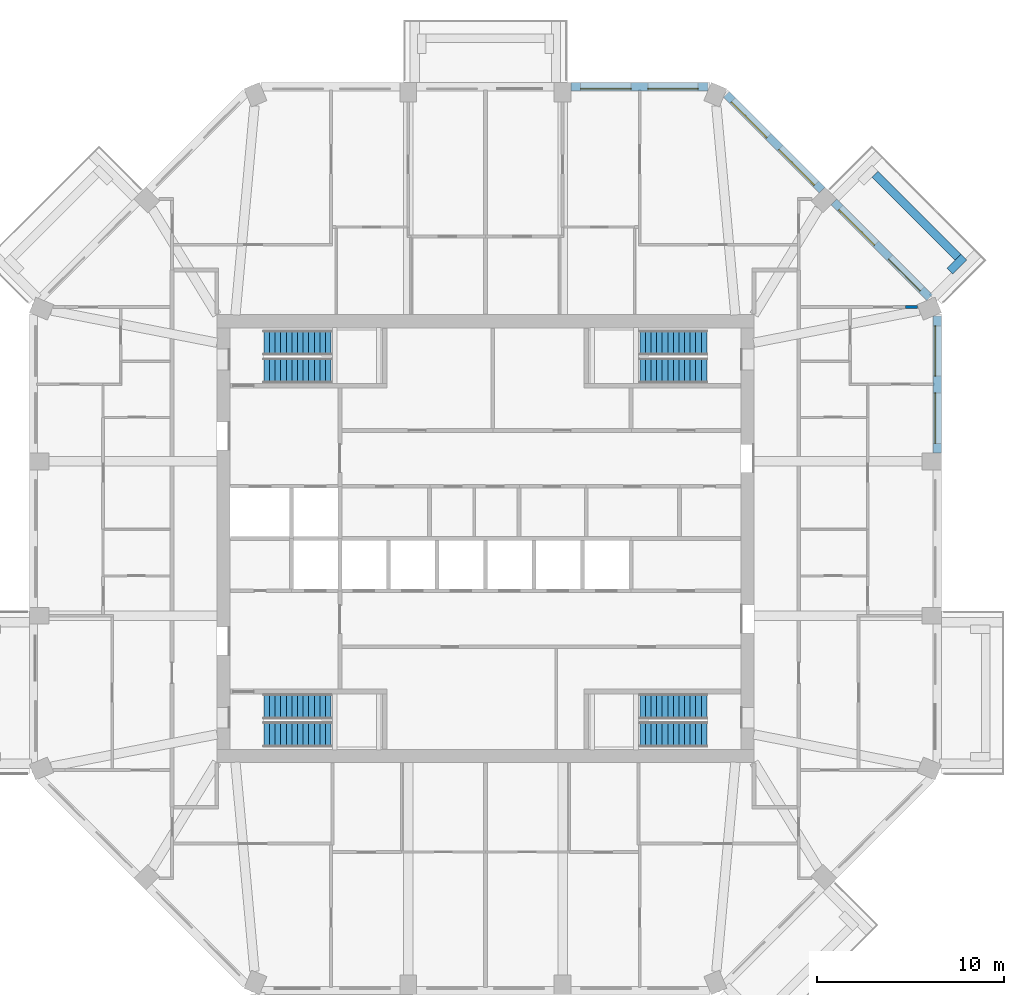
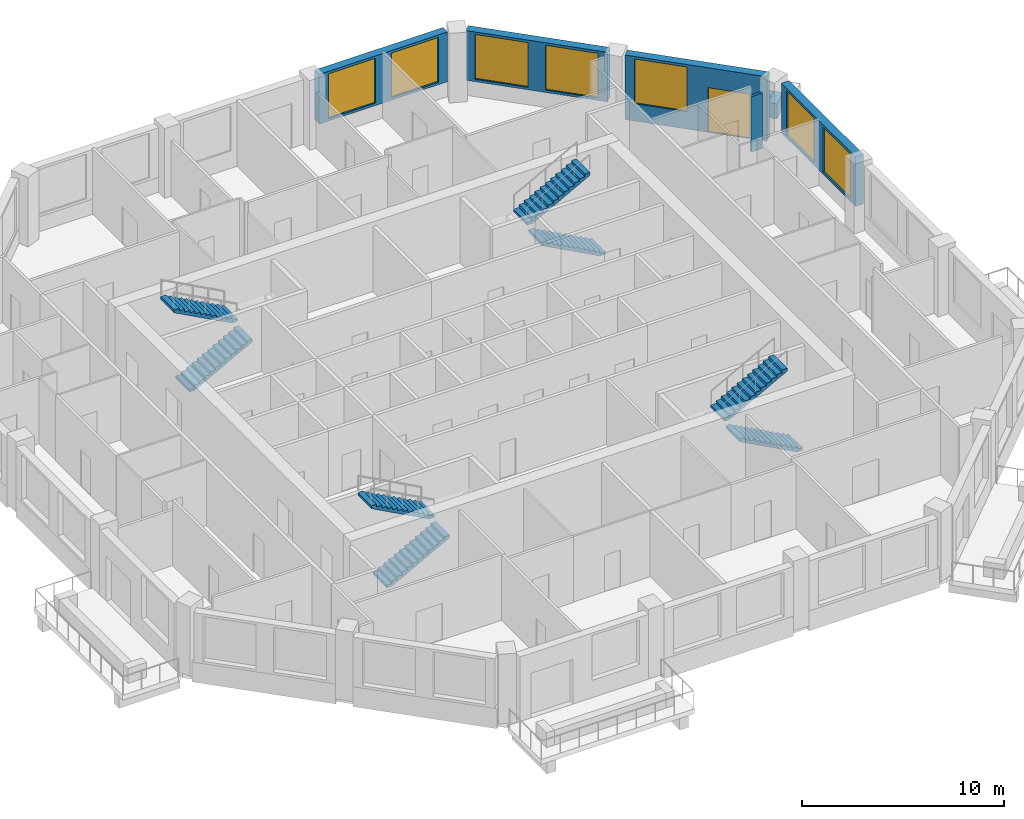
# One storey, part 9 of 10: 8 stair flights, 7 walls, 7 windows, 1 door, 8 openings, 4 elements without a shape of their own.
"""IFC4 building model written with IfcOpenShell, lengths in metres."""

import ifcopenshell
import ifcopenshell.guid

model = None  # the IFC model being written
_history = None  # IfcOwnerHistory: only IFC2X3 demands one
_inside = {}  # id of a spatial element -> (the spatial element, [elements in it])
_under = {}  # id of a project, library or spatial element -> (it, [spatial elements below it])
_declared = {}  # id of a project -> (the project, [libraries it declares])
_typed = {}  # id of a type object -> (the type object, [elements of that type])
_made_of = {}  # id of a material, layer set ... -> (it, [elements and type objects made of it])


def new_model(schema):
    """Start an empty IFC model of exactly this schema.

    Asked for "IFC4X3", IfcOpenShell would pick the latest addendum, in which some entities
    have other attributes; the version numbers below select the first issue.
    IFC2X3 requires an IfcOwnerHistory on every rooted entity: one is made here for all.
    """
    global model, _history
    if schema == "IFC4X3":
        model = ifcopenshell.file(schema_version=(4, 3, 0, 0))
    else:
        model = ifcopenshell.file(schema=schema)
    _inside.clear()
    _under.clear()
    _declared.clear()
    _typed.clear()
    _made_of.clear()
    _history = None
    if model.schema == "IFC2X3":
        org = make("IfcOrganization", Name="unknown")
        user = make(
            "IfcPersonAndOrganization",
            ThePerson=make("IfcPerson", FamilyName="unknown"),
            TheOrganization=org,
        )
        app = make(
            "IfcApplication",
            ApplicationDeveloper=org,
            Version="unknown",
            ApplicationFullName="unknown",
            ApplicationIdentifier="unknown",
        )
        _history = make(
            "IfcOwnerHistory",
            OwningUser=user,
            OwningApplication=app,
            ChangeAction="ADDED",
            CreationDate=0,
        )
    return model


def make(cls, **values):
    """One entity of the class cls with the attributes given. An attribute that is None is left unset."""
    return model.create_entity(
        cls, **{name: value for name, value in values.items() if value is not None}
    )


def rooted(cls, **values):
    """An entity with a GlobalId (a new one), such as an element, a storey or a relation."""
    return make(cls, GlobalId=ifcopenshell.guid.new(), OwnerHistory=_history, **values)


def si_unit(unit_type, name, prefix=None):
    """IfcSIUnit, for example si_unit("LENGTHUNIT", "METRE", prefix="MILLI")."""
    return make("IfcSIUnit", UnitType=unit_type, Prefix=prefix, Name=name)


def assignment(units):
    """IfcUnitAssignment: the units of a project."""
    return None if units is None else make("IfcUnitAssignment", Units=units)


def point(xyz):
    """IfcCartesianPoint."""
    return None if xyz is None else make("IfcCartesianPoint", Coordinates=xyz)


def direction(xyz):
    """IfcDirection."""
    return None if xyz is None else make("IfcDirection", DirectionRatios=xyz)


def frame(location, z_axis=None, x_axis=None):
    """IfcAxis2Placement3D, a coordinate frame: its origin and axes. An axis left out is left unset."""
    return make(
        "IfcAxis2Placement3D",
        Location=point(location),
        Axis=direction(z_axis),
        RefDirection=direction(x_axis),
    )


def frame_2d(location, x_axis=None):
    """IfcAxis2Placement2D, a coordinate frame in the plane: its origin and x axis."""
    return make(
        "IfcAxis2Placement2D", Location=point(location), RefDirection=direction(x_axis)
    )


def origin():
    """The frame at (0, 0, 0) with its axes left unset."""
    return frame((0.0, 0.0, 0.0))


def place(relative_to, where):
    """IfcLocalPlacement: puts the frame where relative to a parent placement (None: the world)."""
    return make(
        "IfcLocalPlacement", PlacementRelTo=relative_to, RelativePlacement=where
    )


def context(
    kind, dimensions, precision=None, world=None, true_north=None, identifier=None
):
    """IfcGeometricRepresentationContext, for example the 3D "Model" context."""
    return make(
        "IfcGeometricRepresentationContext",
        ContextIdentifier=identifier,
        ContextType=kind,
        CoordinateSpaceDimension=dimensions,
        Precision=precision,
        WorldCoordinateSystem=world,
        TrueNorth=true_north,
    )


def subcontext(parent, identifier, kind, view, scale=None):
    """IfcGeometricRepresentationSubContext, for example "Body" below "Model"."""
    return make(
        "IfcGeometricRepresentationSubContext",
        ContextIdentifier=identifier,
        ContextType=kind,
        ParentContext=parent,
        TargetScale=scale,
        TargetView=view,
    )


def project(units=None, contexts=None):
    """IfcProject with its units and contexts."""
    return rooted(
        "IfcProject",
        Name="project",
        RepresentationContexts=contexts,
        UnitsInContext=assignment(units),
    )


def spatial(cls, under=None, at=None, **own):
    """A site, building, storey or space (cls), placed at a placement, below another one or the project."""
    s = rooted(cls, ObjectPlacement=at, **own)
    if under is not None:
        _under.setdefault(under.id(), (under, []))[1].append(s)
    return s


def polyline(points):
    """IfcPolyline through the points."""
    return make("IfcPolyline", Points=[point(p) for p in points])


def profile(cls, at=None, kind="AREA", **sizes):
    """A parametric profile (cls). Its sizes go by their IFC names, for example OverallWidth=200.0."""
    return make(cls, ProfileType=kind, Position=at, **sizes)


def rectangle(**sizes):
    """IfcRectangleProfileDef."""
    return profile("IfcRectangleProfileDef", **sizes)


def outline(outer, holes=None, kind="AREA"):
    """IfcArbitraryClosedProfileDef: a profile drawn as a closed curve; with holes, ...WithVoids."""
    if holes is None:
        return make("IfcArbitraryClosedProfileDef", ProfileType=kind, OuterCurve=outer)
    return make(
        "IfcArbitraryProfileDefWithVoids",
        ProfileType=kind,
        OuterCurve=outer,
        InnerCurves=holes,
    )


def extrude(swept, where, along, depth):
    """IfcExtrudedAreaSolid: the profile swept, set in the frame where, extruded along a direction by depth."""
    return make(
        "IfcExtrudedAreaSolid",
        SweptArea=swept,
        Position=where,
        ExtrudedDirection=direction(along),
        Depth=depth,
    )


def shape(context_of_items, identifier, shape_type, items):
    """IfcShapeRepresentation: the items that make up one representation, for example the "Body"."""
    return make(
        "IfcShapeRepresentation",
        ContextOfItems=context_of_items,
        RepresentationIdentifier=identifier,
        RepresentationType=shape_type,
        Items=items,
    )


def material(Name=None, Category=None):
    """IfcMaterial."""
    return make("IfcMaterial", Name=Name, Category=Category)


def layer(
    of_material, thickness, ventilated=None, Name=None, Category=None, Priority=None
):
    """IfcMaterialLayer: one layer of a wall or slab, of a material (None: an air gap)."""
    return make(
        "IfcMaterialLayer",
        Material=of_material,
        LayerThickness=thickness,
        IsVentilated=ventilated,
        Name=Name,
        Category=Category,
        Priority=Priority,
    )


def layer_set(layers, Name=None):
    """IfcMaterialLayerSet."""
    return make("IfcMaterialLayerSet", MaterialLayers=layers, LayerSetName=Name)


def made_of(thing, what):
    """Note that an element or type object is made of a material, layer set ...; save() writes the relation."""
    if what is not None:
        _made_of.setdefault(what.id(), (what, []))[1].append(thing)
    return thing


def type_object(cls, material=None, **own):
    """A type object (cls), such as IfcWallType, which elements share."""
    return made_of(rooted(cls, **own), material)


def element(
    cls,
    number,
    at=None,
    inside=None,
    cuts=None,
    type_object=None,
    material=None,
    context=None,
    identifier="Body",
    shape_type=None,
    held_by="IfcProductDefinitionShape",
    body=None,
    shapes=None,
    **own,
):
    """One element of the class cls, such as IfcWall. Its Tag is "e" and its number.

    at: its placement. inside: the storey or other place that contains it. cuts: it is an
    opening in that element (IfcRelVoidsElement). A single representation is given by context,
    identifier, shape_type and body (its items); several are given by shapes. held_by: the class
    of the entity that holds the representations. save() writes the other relations.
    """
    e = rooted(cls, Tag="e%d" % number, ObjectPlacement=at, **own)
    if body is not None:
        shapes = [shape(context, identifier, shape_type, body)]
    if shapes is not None:
        e.Representation = make(held_by, Representations=shapes)
    if inside is not None:
        _inside.setdefault(inside.id(), (inside, []))[1].append(e)
    if cuts is not None:
        rooted(
            "IfcRelVoidsElement", RelatingBuildingElement=cuts, RelatedOpeningElement=e
        )
    if type_object is not None:
        _typed.setdefault(type_object.id(), (type_object, []))[1].append(e)
    return made_of(e, material)


def fill(opening, filler):
    """IfcRelFillsElement: the door or window that sits in an opening."""
    return rooted(
        "IfcRelFillsElement",
        RelatingOpeningElement=opening,
        RelatedBuildingElement=filler,
    )


def aggregate(whole, parts):
    """IfcRelAggregates: a whole, such as a stair, and the parts it consists of."""
    return rooted("IfcRelAggregates", RelatingObject=whole, RelatedObjects=parts)


def save(model, path):
    """Write the relations noted so far, then the file.

    IfcRelAggregates (storeys below a building ...), IfcRelContainedInSpatialStructure (elements
    in a storey), IfcRelDefinesByType, IfcRelAssociatesMaterial and IfcRelDeclares: one each for
    every whole, place, type object, material and project.
    """
    for whole, parts in _under.values():
        aggregate(whole, parts)
    for where, things in _inside.values():
        rooted(
            "IfcRelContainedInSpatialStructure",
            RelatedElements=things,
            RelatingStructure=where,
        )
    for kind, things in _typed.values():
        rooted("IfcRelDefinesByType", RelatedObjects=things, RelatingType=kind)
    for what, things in _made_of.values():
        rooted("IfcRelAssociatesMaterial", RelatedObjects=things, RelatingMaterial=what)
    for by, libraries in _declared.values():
        rooted("IfcRelDeclares", RelatingContext=by, RelatedDefinitions=libraries)
    model.write(path)


model = new_model("IFC4")

# Units and contexts
model_context = context("Model", 3, precision=1e-05, world=origin(), true_north=direction((0.0, 1.0)))
body_context = subcontext(model_context, "Body", "Model", "MODEL_VIEW")
ifc_project = project(units=[si_unit("LENGTHUNIT", "METRE"), si_unit("AREAUNIT", "SQUARE_METRE"), si_unit("VOLUMEUNIT", "CUBIC_METRE"), si_unit("PLANEANGLEUNIT", "RADIAN"), si_unit("MASSUNIT", "GRAM", prefix="KILO")], contexts=[model_context])

# Site, building, storey
site_placement = place(None, origin())
site = spatial("IfcSite", under=ifc_project, at=site_placement, CompositionType="ELEMENT")
building_placement = place(site_placement, origin())
building = spatial("IfcBuilding", under=site, at=building_placement, Name="Msitu Wima Residences", CompositionType="ELEMENT")
storey_placement = place(building_placement, frame((0.0, 0.0, 191.699951171875)))
storey = spatial("IfcBuildingStorey", under=building, at=storey_placement, Name="L44", CompositionType="ELEMENT", Elevation=191.699951171875)

# Walls
ifc_material_1 = material(Name="Facing brick")
ifc_layer_1 = layer(ifc_material_1, 0.06494140625, Name="Facing brick")
ifc_material_2 = material(Name="Concrete C40/50", Category="concrete")
ifc_layer_2 = layer(ifc_material_2, 0.156005859375, Name="Concrete C40/50")
ifc_material_3 = material(Name="Waterproofing membrane")
ifc_layer_3 = layer(ifc_material_3, 0.00390625, Name="Waterproofing membrane")
ifc_material_4 = material(Name="Planting soil and planting")
ifc_layer_4 = layer(ifc_material_4, 0.22509765625, Name="Planting soil and planting")
ifc_layer_set_1 = layer_set([ifc_layer_1, ifc_layer_2, ifc_layer_3, ifc_layer_4], Name="Concrete C40/50")
wall_type_1 = type_object("IfcWallType", Name="Balcony planter PLANTER PL450", PredefinedType="USERDEFINED", material=ifc_layer_set_1)
wall_1_placement = place(storey_placement, frame((25.325927734375, 15.0810546875, 0.0), z_axis=(0.0, 0.0, 1.0), x_axis=(-0.707106781187, 0.707106781187, 0.0)))
element("IfcWall", 1, at=wall_1_placement, inside=storey, type_object=wall_type_1, Name="Balcony planter NE0 L44", ObjectType="PLANTER", PredefinedType="USERDEFINED", context=body_context, shape_type="SweptSolid", body=[
    extrude(rectangle(XDim=6.294189453125, YDim=0.449951171875, at=frame_2d((3.14697265625, 0.0))), origin(), (0.0, 0.0, 1.0), 0.900146484375),
])
wall_2_placement = place(storey_placement, frame((24.901611328125, 14.338623046875, 0.0), z_axis=(0.0, 0.0, 1.0), x_axis=(0.707106781187, 0.707106781187, 0.0)))
element("IfcWall", 2, at=wall_2_placement, inside=storey, type_object=wall_type_1, Name="Balcony planter NE0 L44", ObjectType="PLANTER", PredefinedType="USERDEFINED", context=body_context, shape_type="SweptSolid", body=[
    extrude(rectangle(XDim=1.050048828125, YDim=0.449951171875, at=frame_2d((0.52490234375, 0.0))), origin(), (0.0, 0.0, 1.0), 0.900146484375),
])

# Wall, openings, windows
ifc_material_5 = material(Name="Brick (red buff mix)", Category="masonry")
ifc_layer_5 = layer(ifc_material_5, 0.449951171875)
ifc_layer_set_2 = layer_set([ifc_layer_5], Name="Brick (red buff mix)")
wall_type_2 = type_object("IfcWallType", Name="Brick infill wall BW450", PredefinedType="SOLIDWALL", material=ifc_layer_set_2)
wall_3_placement = place(storey_placement, frame((24.22509765625, 4.587158203125, 0.900146484375), z_axis=(0.0, 0.0, 1.0), x_axis=(0.0, 1.0, 0.0)))
wall_3 = element("IfcWall", 3, at=wall_3_placement, inside=storey, type_object=wall_type_2, Name="Brick infill wall L44 E2", PredefinedType="SOLIDWALL", context=body_context, shape_type="SweptSolid", body=[
    extrude(rectangle(XDim=7.337646484375, YDim=0.449951171875, at=frame_2d((3.6689453125, 0.0))), origin(), (0.0, 0.0, 1.0), 3.0),
])
opening_1_placement = place(wall_3_placement, frame((0.518798828125, 0.0, 0.14990234375)))
opening_1 = element("IfcOpeningElement", 4, at=opening_1_placement, cuts=wall_3, Name="Opening W43-45.004", PredefinedType="OPENING", context=body_context, shape_type="SweptSolid", body=[
    extrude(rectangle(XDim=2.699951171875, YDim=2.699951171875, at=frame_2d((1.35009765625, 1.35009765625))), frame((0.0, 0.23486328125, 0.0), z_axis=(0.0, -1.0, 0.0), x_axis=(1.0, 0.0, 0.0)), (0.0, 0.0, 1.0), 0.469970703125),
])
opening_2_placement = place(wall_3_placement, frame((4.11865234375, 0.0, 0.14990234375)))
opening_2 = element("IfcOpeningElement", 5, at=opening_2_placement, cuts=wall_3, Name="Opening W43-45.005", PredefinedType="OPENING", context=body_context, shape_type="SweptSolid", body=[
    extrude(rectangle(XDim=2.699951171875, YDim=2.699951171875, at=frame_2d((1.35009765625, 1.35009765625))), frame((0.0, 0.23486328125, 0.0), z_axis=(0.0, -1.0, 0.0), x_axis=(1.0, 0.0, 0.0)), (0.0, 0.0, 1.0), 0.469970703125),
])
ifc_material_6 = material(Name="Anodised aluminium, bronze finish, clear low-emissivity double glazing", Category="aluminium")
window_type = type_object("IfcWindowType", Name="Window W2700x2700", PartitioningType="DOUBLE_PANEL_VERTICAL", PredefinedType="WINDOW", material=ifc_material_6)
window_1_placement = place(opening_1_placement, origin())
window_1 = element("IfcWindow", 6, at=window_1_placement, inside=storey, type_object=window_type, Name="Window L44 E2.1", OverallHeight=2.699951171875, OverallWidth=2.699951171875, PartitioningType="SINGLE_PANEL", PredefinedType="WINDOW", context=body_context, shape_type="SweptSolid", body=[
    extrude(rectangle(XDim=2.699951171875, YDim=2.699951171875, at=frame_2d((1.35009765625, 1.35009765625))), frame((0.0, 0.135009765625, 0.0), z_axis=(0.0, -1.0, 0.0), x_axis=(1.0, 0.0, 0.0)), (0.0, 0.0, 1.0), 0.06005859375),
])
fill(opening_1, window_1)
window_2_placement = place(opening_2_placement, origin())
window_2 = element("IfcWindow", 7, at=window_2_placement, inside=storey, type_object=window_type, Name="Window L44 E2.2", OverallHeight=2.699951171875, OverallWidth=2.699951171875, PartitioningType="SINGLE_PANEL", PredefinedType="WINDOW", context=body_context, shape_type="SweptSolid", body=[
    extrude(rectangle(XDim=2.699951171875, YDim=2.699951171875, at=frame_2d((1.35009765625, 1.35009765625))), frame((0.0, 0.135009765625, 0.0), z_axis=(0.0, -1.0, 0.0), x_axis=(1.0, 0.0, 0.0)), (0.0, 0.0, 1.0), 0.06005859375),
])
fill(opening_2, window_2)

# Wall, openings, door, window
wall_4_placement = place(storey_placement, frame((23.814697265625, 12.915283203125, 0.0), z_axis=(0.0, 0.0, 1.0), x_axis=(-0.707106781187, 0.707106781187, 0.0)))
wall_4 = element("IfcWall", 8, at=wall_4_placement, inside=storey, type_object=wall_type_2, Name="Brick infill wall L44 NE0", PredefinedType="SOLIDWALL", context=body_context, shape_type="SweptSolid", body=[
    extrude(rectangle(XDim=7.257080078125, YDim=0.449951171875, at=frame_2d((3.62841796875, 0.0))), origin(), (0.0, 0.0, 1.0), 3.900146484375),
])
opening_3_placement = place(wall_4_placement, frame((0.6142578125, 0.0, 0.0)))
opening_3 = element("IfcOpeningElement", 9, at=opening_3_placement, cuts=wall_4, Name="Opening D43-45.003", PredefinedType="OPENING", context=body_context, shape_type="SweptSolid", body=[
    extrude(rectangle(XDim=2.39990234375, YDim=2.699951171875, at=frame_2d((1.199951171875, 1.35009765625))), frame((0.0, 0.23486328125, 0.0), z_axis=(0.0, -1.0, 0.0), x_axis=(1.0, 0.0, 0.0)), (0.0, 0.0, 1.0), 0.469970703125),
])
opening_4_placement = place(wall_4_placement, frame((4.07861328125, 0.0, 1.050048828125)))
opening_4 = element("IfcOpeningElement", 10, at=opening_4_placement, cuts=wall_4, Name="Opening W43-45.011", PredefinedType="OPENING", context=body_context, shape_type="SweptSolid", body=[
    extrude(rectangle(XDim=2.699951171875, YDim=2.699951171875, at=frame_2d((1.35009765625, 1.35009765625))), frame((0.0, 0.23486328125, 0.0), z_axis=(0.0, -1.0, 0.0), x_axis=(1.0, 0.0, 0.0)), (0.0, 0.0, 1.0), 0.469970703125),
])
door_type = type_object("IfcDoorType", Name="Balcony door D2400x2700", OperationType="SLIDING_TO_LEFT", PredefinedType="DOOR", material=ifc_material_6)
door_placement = place(opening_3_placement, origin())
door = element("IfcDoor", 11, at=door_placement, inside=storey, type_object=door_type, Name="Balcony door L44 NE0", OperationType="SINGLE_SWING_LEFT", OverallHeight=2.699951171875, OverallWidth=2.39990234375, PredefinedType="DOOR", context=body_context, shape_type="SweptSolid", body=[
    extrude(rectangle(XDim=2.39990234375, YDim=2.699951171875, at=frame_2d((1.199951171875, 1.35009765625))), frame((0.0, 0.1298828125, 0.0), z_axis=(0.0, -1.0, 0.0), x_axis=(1.0, 0.0, 0.0)), (0.0, 0.0, 1.0), 0.050048828125),
])
fill(opening_3, door)
window_3_placement = place(opening_4_placement, origin())
window_3 = element("IfcWindow", 12, at=window_3_placement, inside=storey, type_object=window_type, Name="Window L44 NE0.2", OverallHeight=2.699951171875, OverallWidth=2.699951171875, PartitioningType="SINGLE_PANEL", PredefinedType="WINDOW", context=body_context, shape_type="SweptSolid", body=[
    extrude(rectangle(XDim=2.699951171875, YDim=2.699951171875, at=frame_2d((1.35009765625, 1.35009765625))), frame((0.0, 0.135009765625, 0.0), z_axis=(0.0, -1.0, 0.0), x_axis=(1.0, 0.0, 0.0)), (0.0, 0.0, 1.0), 0.06005859375),
])
fill(opening_4, window_3)

# Wall, openings, windows
wall_5_placement = place(storey_placement, frame((18.046875, 18.68310546875, 0.900146484375), z_axis=(0.0, 0.0, 1.0), x_axis=(-0.707106781187, 0.707106781187, 0.0)))
wall_5 = element("IfcWall", 13, at=wall_5_placement, inside=storey, type_object=wall_type_2, Name="Brick infill wall L44 NE1", PredefinedType="SOLIDWALL", context=body_context, shape_type="SweptSolid", body=[
    extrude(rectangle(XDim=7.257080078125, YDim=0.449951171875, at=frame_2d((3.62841796875, 0.0))), origin(), (0.0, 0.0, 1.0), 3.0),
])
opening_5_placement = place(wall_5_placement, frame((0.478515625, 0.0, 0.14990234375)))
opening_5 = element("IfcOpeningElement", 14, at=opening_5_placement, cuts=wall_5, Name="Opening W43-45.012", PredefinedType="OPENING", context=body_context, shape_type="SweptSolid", body=[
    extrude(rectangle(XDim=2.699951171875, YDim=2.699951171875, at=frame_2d((1.35009765625, 1.35009765625))), frame((0.0, 0.23486328125, 0.0), z_axis=(0.0, -1.0, 0.0), x_axis=(1.0, 0.0, 0.0)), (0.0, 0.0, 1.0), 0.469970703125),
])
opening_6_placement = place(wall_5_placement, frame((4.07861328125, 0.0, 0.14990234375)))
opening_6 = element("IfcOpeningElement", 15, at=opening_6_placement, cuts=wall_5, Name="Opening W43-45.013", PredefinedType="OPENING", context=body_context, shape_type="SweptSolid", body=[
    extrude(rectangle(XDim=2.699951171875, YDim=2.699951171875, at=frame_2d((1.35009765625, 1.35009765625))), frame((0.0, 0.23486328125, 0.0), z_axis=(0.0, -1.0, 0.0), x_axis=(1.0, 0.0, 0.0)), (0.0, 0.0, 1.0), 0.469970703125),
])
window_4_placement = place(opening_5_placement, origin())
window_4 = element("IfcWindow", 16, at=window_4_placement, inside=storey, type_object=window_type, Name="Window L44 NE1.1", OverallHeight=2.699951171875, OverallWidth=2.699951171875, PartitioningType="SINGLE_PANEL", PredefinedType="WINDOW", context=body_context, shape_type="SweptSolid", body=[
    extrude(rectangle(XDim=2.699951171875, YDim=2.699951171875, at=frame_2d((1.35009765625, 1.35009765625))), frame((0.0, 0.135009765625, 0.0), z_axis=(0.0, -1.0, 0.0), x_axis=(1.0, 0.0, 0.0)), (0.0, 0.0, 1.0), 0.06005859375),
])
fill(opening_5, window_4)
window_5_placement = place(opening_6_placement, origin())
window_5 = element("IfcWindow", 17, at=window_5_placement, inside=storey, type_object=window_type, Name="Window L44 NE1.2", OverallHeight=2.699951171875, OverallWidth=2.699951171875, PartitioningType="SINGLE_PANEL", PredefinedType="WINDOW", context=body_context, shape_type="SweptSolid", body=[
    extrude(rectangle(XDim=2.699951171875, YDim=2.699951171875, at=frame_2d((1.35009765625, 1.35009765625))), frame((0.0, 0.135009765625, 0.0), z_axis=(0.0, -1.0, 0.0), x_axis=(1.0, 0.0, 0.0)), (0.0, 0.0, 1.0), 0.06005859375),
])
fill(opening_6, window_5)

wall_6_placement = place(storey_placement, frame((11.9248046875, 24.22509765625, 0.900146484375), z_axis=(0.0, 0.0, 1.0), x_axis=(-1.0, 0.0, 0.0)))
wall_6 = element("IfcWall", 18, at=wall_6_placement, inside=storey, type_object=wall_type_2, Name="Brick infill wall L44 N0", PredefinedType="SOLIDWALL", context=body_context, shape_type="SweptSolid", body=[
    extrude(rectangle(XDim=7.337646484375, YDim=0.449951171875, at=frame_2d((3.6689453125, 0.0))), origin(), (0.0, 0.0, 1.0), 3.0),
])
opening_7_placement = place(wall_6_placement, frame((0.518798828125, 0.0, 0.14990234375)))
opening_7 = element("IfcOpeningElement", 19, at=opening_7_placement, cuts=wall_6, Name="Opening W43-45.006", PredefinedType="OPENING", context=body_context, shape_type="SweptSolid", body=[
    extrude(rectangle(XDim=2.699951171875, YDim=2.699951171875, at=frame_2d((1.35009765625, 1.35009765625))), frame((0.0, 0.23486328125, 0.0), z_axis=(0.0, -1.0, 0.0), x_axis=(1.0, 0.0, 0.0)), (0.0, 0.0, 1.0), 0.469970703125),
])
opening_8_placement = place(wall_6_placement, frame((4.11865234375, 0.0, 0.14990234375)))
opening_8 = element("IfcOpeningElement", 20, at=opening_8_placement, cuts=wall_6, Name="Opening W43-45.007", PredefinedType="OPENING", context=body_context, shape_type="SweptSolid", body=[
    extrude(rectangle(XDim=2.699951171875, YDim=2.699951171875, at=frame_2d((1.35009765625, 1.35009765625))), frame((0.0, 0.23486328125, 0.0), z_axis=(0.0, -1.0, 0.0), x_axis=(1.0, 0.0, 0.0)), (0.0, 0.0, 1.0), 0.469970703125),
])
window_6_placement = place(opening_7_placement, origin())
window_6 = element("IfcWindow", 21, at=window_6_placement, inside=storey, type_object=window_type, Name="Window L44 N0.1", OverallHeight=2.699951171875, OverallWidth=2.699951171875, PartitioningType="SINGLE_PANEL", PredefinedType="WINDOW", context=body_context, shape_type="SweptSolid", body=[
    extrude(rectangle(XDim=2.699951171875, YDim=2.699951171875, at=frame_2d((1.35009765625, 1.35009765625))), frame((0.0, 0.135009765625, 0.0), z_axis=(0.0, -1.0, 0.0), x_axis=(1.0, 0.0, 0.0)), (0.0, 0.0, 1.0), 0.06005859375),
])
fill(opening_7, window_6)
window_7_placement = place(opening_8_placement, origin())
window_7 = element("IfcWindow", 22, at=window_7_placement, inside=storey, type_object=window_type, Name="Window L44 N0.2", OverallHeight=2.699951171875, OverallWidth=2.699951171875, PartitioningType="SINGLE_PANEL", PredefinedType="WINDOW", context=body_context, shape_type="SweptSolid", body=[
    extrude(rectangle(XDim=2.699951171875, YDim=2.699951171875, at=frame_2d((1.35009765625, 1.35009765625))), frame((0.0, 0.135009765625, 0.0), z_axis=(0.0, -1.0, 0.0), x_axis=(1.0, 0.0, 0.0)), (0.0, 0.0, 1.0), 0.06005859375),
])
fill(opening_8, window_7)

# Wall
ifc_material_7 = material(Name="Plaster")
ifc_layer_6 = layer(ifc_material_7, 0.011962890625, Name="Plaster")
ifc_material_8 = material(Name="Concrete blockwork", Category="masonry")
ifc_layer_7 = layer(ifc_material_8, 0.1259765625, Name="Concrete blockwork")
ifc_layer_8 = layer(ifc_material_7, 0.011962890625, Name="Plaster")
ifc_layer_set_3 = layer_set([ifc_layer_6, ifc_layer_7, ifc_layer_8], Name="Concrete blockwork")
wall_type_3 = type_object("IfcWallType", Name="Partition PW150", PredefinedType="PARTITIONING", material=ifc_layer_set_3)
wall_7_placement = place(storey_placement, frame((22.529296875, 12.409912109375, 0.0), z_axis=(0.0, 0.0, 1.0), x_axis=(1.0, 0.0, 0.0)))
element("IfcWall", 23, at=wall_7_placement, inside=storey, type_object=wall_type_3, Name="Partition", PredefinedType="PARTITIONING", context=body_context, shape_type="SweptSolid", body=[
    extrude(rectangle(XDim=0.640380859375, YDim=0.14990234375, at=frame_2d((0.3203125, 0.0))), origin(), (0.0, 0.0, 1.0), 3.35009765625),
])

# Stair, stair flights
stair_type = type_object("IfcStairType", Name="Exit stair ES1615-135", PredefinedType="HALF_TURN_STAIR", material=ifc_material_2)
stair_1_placement = place(storey_placement, origin())
stair_1 = element("IfcStair", 24, at=stair_1_placement, inside=storey, type_object=stair_type, Name="Exit stair 1", PredefinedType="HALF_TURN_STAIR")
stair_flight_type = type_object("IfcStairFlightType", Name="Exit stair flight ES1615-135", PredefinedType="STRAIGHT", material=ifc_material_2)
stair_flight_1_placement = place(storey_placement, frame((-11.875, 9.0, 0.0), z_axis=(0.0, 0.0, 1.0), x_axis=(1.0, 0.0, 0.0)))
stair_flight_1 = element("IfcStairFlight", 25, at=stair_flight_1_placement, type_object=stair_flight_type, Name="S1 flight 1", NumberOfRisers=13, NumberOfTreads=12, PredefinedType="STRAIGHT", RiserHeight=0.161538462, TreadLength=0.3, context=body_context, shape_type="SweptSolid", body=[
    extrude(outline(polyline([(0.0, 0.0), (0.0, 0.16162109375), (0.300048828125, 0.16162109375), (0.300048828125, 0.322998046875), (0.60009765625, 0.322998046875), (0.60009765625, 0.484619140625), (0.89990234375, 0.484619140625), (0.89990234375, 0.646240234375), (1.199951171875, 0.646240234375), (1.199951171875, 0.8076171875), (1.5, 0.8076171875), (1.5, 0.96923828125), (1.800048828125, 0.96923828125), (1.800048828125, 1.130859375), (2.10009765625, 1.130859375), (2.10009765625, 1.292236328125), (2.39990234375, 1.292236328125), (2.39990234375, 1.453857421875), (2.699951171875, 1.453857421875), (2.699951171875, 1.615478515625), (3.0, 1.615478515625), (3.0, 1.77685546875), (3.300048828125, 1.77685546875), (3.300048828125, 1.9384765625), (3.60009765625, 1.9384765625), (3.60009765625, 2.10009765625), (3.60009765625, 1.768310546875), (0.316162109375, 0.0), (0.0, 0.0)])), frame((0.0, 0.675048828125, 0.0), z_axis=(0.0, -1.0, 0.0), x_axis=(1.0, 0.0, 0.0)), (0.0, 0.0, 1.0), 1.35009765625),
])
stair_flight_2_placement = place(storey_placement, frame((-8.27490234375, 10.5, 2.10009765625), z_axis=(0.0, 0.0, 1.0), x_axis=(-1.0, 0.0, 0.0)))
stair_flight_2 = element("IfcStairFlight", 26, at=stair_flight_2_placement, type_object=stair_flight_type, Name="S1 flight 2", NumberOfRisers=13, NumberOfTreads=12, PredefinedType="STRAIGHT", RiserHeight=0.161538462, TreadLength=0.3, context=body_context, shape_type="SweptSolid", body=[
    extrude(outline(polyline([(0.0, 0.0), (0.0, 0.16162109375), (0.300048828125, 0.16162109375), (0.300048828125, 0.322998046875), (0.60009765625, 0.322998046875), (0.60009765625, 0.484619140625), (0.89990234375, 0.484619140625), (0.89990234375, 0.646240234375), (1.199951171875, 0.646240234375), (1.199951171875, 0.8076171875), (1.5, 0.8076171875), (1.5, 0.96923828125), (1.800048828125, 0.96923828125), (1.800048828125, 1.130859375), (2.10009765625, 1.130859375), (2.10009765625, 1.292236328125), (2.39990234375, 1.292236328125), (2.39990234375, 1.453857421875), (2.699951171875, 1.453857421875), (2.699951171875, 1.615478515625), (3.0, 1.615478515625), (3.0, 1.77685546875), (3.300048828125, 1.77685546875), (3.300048828125, 1.9384765625), (3.60009765625, 1.9384765625), (3.60009765625, 2.10009765625), (3.60009765625, 1.768310546875), (0.316162109375, 0.0), (0.0, 0.0)])), frame((0.0, 0.675048828125, 0.0), z_axis=(0.0, -1.0, 0.0), x_axis=(1.0, 0.0, 0.0)), (0.0, 0.0, 1.0), 1.35009765625),
])
aggregate(stair_1, [stair_flight_1, stair_flight_2])

stair_2_placement = place(storey_placement, origin())
stair_2 = element("IfcStair", 27, at=stair_2_placement, inside=storey, type_object=stair_type, Name="Exit stair 2", PredefinedType="HALF_TURN_STAIR")
stair_flight_3_placement = place(storey_placement, frame((-11.875, -10.5, 0.0), z_axis=(0.0, 0.0, 1.0), x_axis=(1.0, 0.0, 0.0)))
stair_flight_3 = element("IfcStairFlight", 28, at=stair_flight_3_placement, type_object=stair_flight_type, Name="S2 flight 1", NumberOfRisers=13, NumberOfTreads=12, PredefinedType="STRAIGHT", RiserHeight=0.161538462, TreadLength=0.3, context=body_context, shape_type="SweptSolid", body=[
    extrude(outline(polyline([(0.0, 0.0), (0.0, 0.16162109375), (0.300048828125, 0.16162109375), (0.300048828125, 0.322998046875), (0.60009765625, 0.322998046875), (0.60009765625, 0.484619140625), (0.89990234375, 0.484619140625), (0.89990234375, 0.646240234375), (1.199951171875, 0.646240234375), (1.199951171875, 0.8076171875), (1.5, 0.8076171875), (1.5, 0.96923828125), (1.800048828125, 0.96923828125), (1.800048828125, 1.130859375), (2.10009765625, 1.130859375), (2.10009765625, 1.292236328125), (2.39990234375, 1.292236328125), (2.39990234375, 1.453857421875), (2.699951171875, 1.453857421875), (2.699951171875, 1.615478515625), (3.0, 1.615478515625), (3.0, 1.77685546875), (3.300048828125, 1.77685546875), (3.300048828125, 1.9384765625), (3.60009765625, 1.9384765625), (3.60009765625, 2.10009765625), (3.60009765625, 1.768310546875), (0.316162109375, 0.0), (0.0, 0.0)])), frame((0.0, 0.675048828125, 0.0), z_axis=(0.0, -1.0, 0.0), x_axis=(1.0, 0.0, 0.0)), (0.0, 0.0, 1.0), 1.35009765625),
])
stair_flight_4_placement = place(storey_placement, frame((-8.27490234375, -9.0, 2.10009765625), z_axis=(0.0, 0.0, 1.0), x_axis=(-1.0, 0.0, 0.0)))
stair_flight_4 = element("IfcStairFlight", 29, at=stair_flight_4_placement, type_object=stair_flight_type, Name="S2 flight 2", NumberOfRisers=13, NumberOfTreads=12, PredefinedType="STRAIGHT", RiserHeight=0.161538462, TreadLength=0.3, context=body_context, shape_type="SweptSolid", body=[
    extrude(outline(polyline([(0.0, 0.0), (0.0, 0.16162109375), (0.300048828125, 0.16162109375), (0.300048828125, 0.322998046875), (0.60009765625, 0.322998046875), (0.60009765625, 0.484619140625), (0.89990234375, 0.484619140625), (0.89990234375, 0.646240234375), (1.199951171875, 0.646240234375), (1.199951171875, 0.8076171875), (1.5, 0.8076171875), (1.5, 0.96923828125), (1.800048828125, 0.96923828125), (1.800048828125, 1.130859375), (2.10009765625, 1.130859375), (2.10009765625, 1.292236328125), (2.39990234375, 1.292236328125), (2.39990234375, 1.453857421875), (2.699951171875, 1.453857421875), (2.699951171875, 1.615478515625), (3.0, 1.615478515625), (3.0, 1.77685546875), (3.300048828125, 1.77685546875), (3.300048828125, 1.9384765625), (3.60009765625, 1.9384765625), (3.60009765625, 2.10009765625), (3.60009765625, 1.768310546875), (0.316162109375, 0.0), (0.0, 0.0)])), frame((0.0, 0.675048828125, 0.0), z_axis=(0.0, -1.0, 0.0), x_axis=(1.0, 0.0, 0.0)), (0.0, 0.0, 1.0), 1.35009765625),
])
aggregate(stair_2, [stair_flight_3, stair_flight_4])

stair_3_placement = place(storey_placement, origin())
stair_3 = element("IfcStair", 30, at=stair_3_placement, inside=storey, type_object=stair_type, Name="Exit stair 3", PredefinedType="HALF_TURN_STAIR")
stair_flight_5_placement = place(storey_placement, frame((11.875, 9.0, 0.0), z_axis=(0.0, 0.0, 1.0), x_axis=(-1.0, 0.0, 0.0)))
stair_flight_5 = element("IfcStairFlight", 31, at=stair_flight_5_placement, type_object=stair_flight_type, Name="S3 flight 1", NumberOfRisers=13, NumberOfTreads=12, PredefinedType="STRAIGHT", RiserHeight=0.161538462, TreadLength=0.3, context=body_context, shape_type="SweptSolid", body=[
    extrude(outline(polyline([(0.0, 0.0), (0.0, 0.16162109375), (0.300048828125, 0.16162109375), (0.300048828125, 0.322998046875), (0.60009765625, 0.322998046875), (0.60009765625, 0.484619140625), (0.89990234375, 0.484619140625), (0.89990234375, 0.646240234375), (1.199951171875, 0.646240234375), (1.199951171875, 0.8076171875), (1.5, 0.8076171875), (1.5, 0.96923828125), (1.800048828125, 0.96923828125), (1.800048828125, 1.130859375), (2.10009765625, 1.130859375), (2.10009765625, 1.292236328125), (2.39990234375, 1.292236328125), (2.39990234375, 1.453857421875), (2.699951171875, 1.453857421875), (2.699951171875, 1.615478515625), (3.0, 1.615478515625), (3.0, 1.77685546875), (3.300048828125, 1.77685546875), (3.300048828125, 1.9384765625), (3.60009765625, 1.9384765625), (3.60009765625, 2.10009765625), (3.60009765625, 1.768310546875), (0.316162109375, 0.0), (0.0, 0.0)])), frame((0.0, 0.675048828125, 0.0), z_axis=(0.0, -1.0, 0.0), x_axis=(1.0, 0.0, 0.0)), (0.0, 0.0, 1.0), 1.35009765625),
])
stair_flight_6_placement = place(storey_placement, frame((8.27490234375, 10.5, 2.10009765625), z_axis=(0.0, 0.0, 1.0), x_axis=(1.0, 0.0, 0.0)))
stair_flight_6 = element("IfcStairFlight", 32, at=stair_flight_6_placement, type_object=stair_flight_type, Name="S3 flight 2", NumberOfRisers=13, NumberOfTreads=12, PredefinedType="STRAIGHT", RiserHeight=0.161538462, TreadLength=0.3, context=body_context, shape_type="SweptSolid", body=[
    extrude(outline(polyline([(0.0, 0.0), (0.0, 0.16162109375), (0.300048828125, 0.16162109375), (0.300048828125, 0.322998046875), (0.60009765625, 0.322998046875), (0.60009765625, 0.484619140625), (0.89990234375, 0.484619140625), (0.89990234375, 0.646240234375), (1.199951171875, 0.646240234375), (1.199951171875, 0.8076171875), (1.5, 0.8076171875), (1.5, 0.96923828125), (1.800048828125, 0.96923828125), (1.800048828125, 1.130859375), (2.10009765625, 1.130859375), (2.10009765625, 1.292236328125), (2.39990234375, 1.292236328125), (2.39990234375, 1.453857421875), (2.699951171875, 1.453857421875), (2.699951171875, 1.615478515625), (3.0, 1.615478515625), (3.0, 1.77685546875), (3.300048828125, 1.77685546875), (3.300048828125, 1.9384765625), (3.60009765625, 1.9384765625), (3.60009765625, 2.10009765625), (3.60009765625, 1.768310546875), (0.316162109375, 0.0), (0.0, 0.0)])), frame((0.0, 0.675048828125, 0.0), z_axis=(0.0, -1.0, 0.0), x_axis=(1.0, 0.0, 0.0)), (0.0, 0.0, 1.0), 1.35009765625),
])
aggregate(stair_3, [stair_flight_5, stair_flight_6])

stair_4_placement = place(storey_placement, origin())
stair_4 = element("IfcStair", 33, at=stair_4_placement, inside=storey, type_object=stair_type, Name="Exit stair 4", PredefinedType="HALF_TURN_STAIR")
stair_flight_7_placement = place(storey_placement, frame((11.875, -10.5, 0.0), z_axis=(0.0, 0.0, 1.0), x_axis=(-1.0, 0.0, 0.0)))
stair_flight_7 = element("IfcStairFlight", 34, at=stair_flight_7_placement, type_object=stair_flight_type, Name="S4 flight 1", NumberOfRisers=13, NumberOfTreads=12, PredefinedType="STRAIGHT", RiserHeight=0.161538462, TreadLength=0.3, context=body_context, shape_type="SweptSolid", body=[
    extrude(outline(polyline([(0.0, 0.0), (0.0, 0.16162109375), (0.300048828125, 0.16162109375), (0.300048828125, 0.322998046875), (0.60009765625, 0.322998046875), (0.60009765625, 0.484619140625), (0.89990234375, 0.484619140625), (0.89990234375, 0.646240234375), (1.199951171875, 0.646240234375), (1.199951171875, 0.8076171875), (1.5, 0.8076171875), (1.5, 0.96923828125), (1.800048828125, 0.96923828125), (1.800048828125, 1.130859375), (2.10009765625, 1.130859375), (2.10009765625, 1.292236328125), (2.39990234375, 1.292236328125), (2.39990234375, 1.453857421875), (2.699951171875, 1.453857421875), (2.699951171875, 1.615478515625), (3.0, 1.615478515625), (3.0, 1.77685546875), (3.300048828125, 1.77685546875), (3.300048828125, 1.9384765625), (3.60009765625, 1.9384765625), (3.60009765625, 2.10009765625), (3.60009765625, 1.768310546875), (0.316162109375, 0.0), (0.0, 0.0)])), frame((0.0, 0.675048828125, 0.0), z_axis=(0.0, -1.0, 0.0), x_axis=(1.0, 0.0, 0.0)), (0.0, 0.0, 1.0), 1.35009765625),
])
stair_flight_8_placement = place(storey_placement, frame((8.27490234375, -9.0, 2.10009765625), z_axis=(0.0, 0.0, 1.0), x_axis=(1.0, 0.0, 0.0)))
stair_flight_8 = element("IfcStairFlight", 35, at=stair_flight_8_placement, type_object=stair_flight_type, Name="S4 flight 2", NumberOfRisers=13, NumberOfTreads=12, PredefinedType="STRAIGHT", RiserHeight=0.161538462, TreadLength=0.3, context=body_context, shape_type="SweptSolid", body=[
    extrude(outline(polyline([(0.0, 0.0), (0.0, 0.16162109375), (0.300048828125, 0.16162109375), (0.300048828125, 0.322998046875), (0.60009765625, 0.322998046875), (0.60009765625, 0.484619140625), (0.89990234375, 0.484619140625), (0.89990234375, 0.646240234375), (1.199951171875, 0.646240234375), (1.199951171875, 0.8076171875), (1.5, 0.8076171875), (1.5, 0.96923828125), (1.800048828125, 0.96923828125), (1.800048828125, 1.130859375), (2.10009765625, 1.130859375), (2.10009765625, 1.292236328125), (2.39990234375, 1.292236328125), (2.39990234375, 1.453857421875), (2.699951171875, 1.453857421875), (2.699951171875, 1.615478515625), (3.0, 1.615478515625), (3.0, 1.77685546875), (3.300048828125, 1.77685546875), (3.300048828125, 1.9384765625), (3.60009765625, 1.9384765625), (3.60009765625, 2.10009765625), (3.60009765625, 1.768310546875), (0.316162109375, 0.0), (0.0, 0.0)])), frame((0.0, 0.675048828125, 0.0), z_axis=(0.0, -1.0, 0.0), x_axis=(1.0, 0.0, 0.0)), (0.0, 0.0, 1.0), 1.35009765625),
])
aggregate(stair_4, [stair_flight_7, stair_flight_8])

save(model, "model.ifc")
